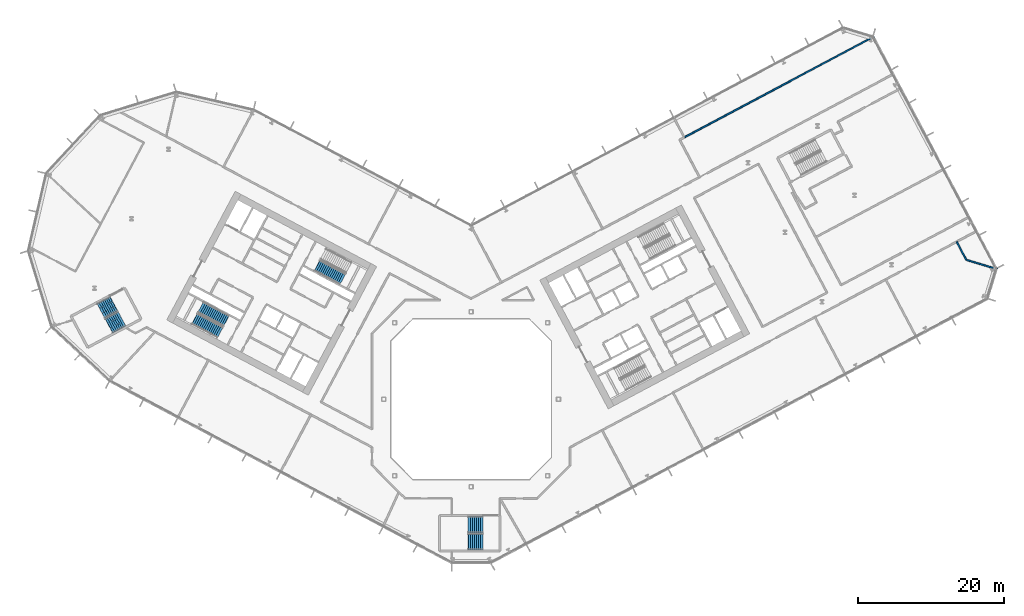
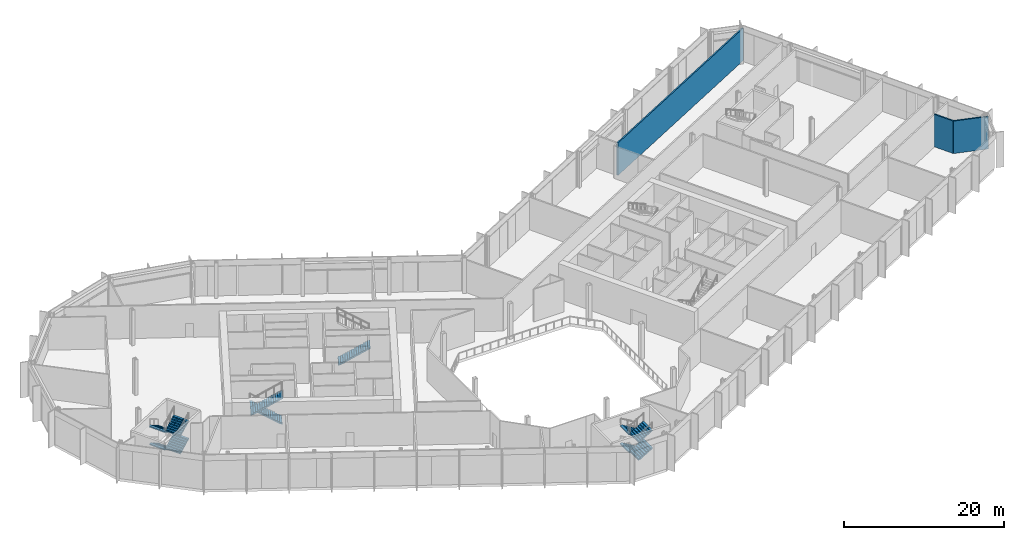
# One storey, part 18 of 32: 11 stair flights, 3 walls, 4 elements without a shape of their own.
"""IFC4 building model written with IfcOpenShell, lengths in metres."""

from ifc_helpers import new_model, si_unit, direction, frame, frame_2d, origin, place, context, subcontext, project, spatial, polyline, rectangle, outline, extrude, material, layer, layer_set, type_object, element, aggregate, save


model = new_model("IFC4")

# Units and contexts
model_context = context("Model", 3, precision=1e-05, world=origin(), true_north=direction((0.0, 1.0)))
body_context = subcontext(model_context, "Body", "Model", "MODEL_VIEW")
ifc_project = project(units=[si_unit("LENGTHUNIT", "METRE"), si_unit("AREAUNIT", "SQUARE_METRE"), si_unit("VOLUMEUNIT", "CUBIC_METRE"), si_unit("PLANEANGLEUNIT", "RADIAN"), si_unit("MASSUNIT", "GRAM", prefix="KILO")], contexts=[model_context])

# Site, building, storey
site_placement = place(None, origin())
site = spatial("IfcSite", under=ifc_project, at=site_placement, CompositionType="ELEMENT")
building_placement = place(site_placement, origin())
building = spatial("IfcBuilding", under=site, at=building_placement, Name="Cormorant Relay Tower", CompositionType="ELEMENT")
storey_placement = place(building_placement, frame((0.0, 0.0, 28.39990234375)))
storey = spatial("IfcBuildingStorey", under=building, at=storey_placement, Name="L05", CompositionType="ELEMENT", Elevation=28.39990234375)

# Walls
ifc_material_1 = material(Name="Fire-rated gypsum board partition")
ifc_layer = layer(ifc_material_1, 0.199951171875)
ifc_layer_set = layer_set([ifc_layer], Name="Fire-rated gypsum partition 200")
wall_type = type_object("IfcWallType", Name="Fire-rated gypsum partition 200", PredefinedType="PARTITIONING", material=ifc_layer_set)
wall_1_placement = place(storey_placement, frame((29.260009765625, 35.945068359375, 0.0), z_axis=(0.0, 0.0, 1.0), x_axis=(0.882955510648, 0.469456671288, 0.0)))
element("IfcWall", 1, at=wall_1_placement, inside=storey, type_object=wall_type, Name="wall/L05/part/37", PredefinedType="PARTITIONING", context=body_context, shape_type="SweptSolid", body=[
    extrude(rectangle(XDim=29.506591796875, YDim=0.199951171875, at=frame_2d((14.75341796875, 0.0))), origin(), (0.0, 0.0, 1.0), 4.9501953125),
])
wall_2_placement = place(storey_placement, frame((66.64892578125, 21.623046875, 0.0), z_axis=(0.0, 0.0, 1.0), x_axis=(0.469796507672, -0.882774739885, 0.0)))
element("IfcWall", 2, at=wall_2_placement, inside=storey, type_object=wall_type, Name="wall/L05/part/54", PredefinedType="PARTITIONING", context=body_context, shape_type="SweptSolid", body=[
    extrude(rectangle(XDim=2.801513671875, YDim=0.199951171875, at=frame_2d((1.40087890625, 0.0))), origin(), (0.0, 0.0, 1.0), 4.9501953125),
])
wall_3_placement = place(storey_placement, frame((67.965087890625, 19.14990234375, 0.0), z_axis=(0.0, 0.0, 1.0), x_axis=(0.956221844793, -0.292642757539, 0.0)))
element("IfcWall", 3, at=wall_3_placement, inside=storey, type_object=wall_type, Name="wall/L05/part/55", PredefinedType="PARTITIONING", context=body_context, shape_type="SweptSolid", body=[
    extrude(rectangle(XDim=4.459228515625, YDim=0.199951171875, at=frame_2d((2.2294921875, 0.0))), origin(), (0.0, 0.0, 1.0), 4.9501953125),
])

# Stair, stair flight
ifc_material_2 = material(Name="Concrete 40 MPa", Category="concrete")
stair_type_1 = type_object("IfcStairType", Name="Exit stair 1500", PredefinedType="HALF_TURN_STAIR", material=ifc_material_2)
stair_1_placement = place(storey_placement, origin())
stair_1 = element("IfcStair", 4, at=stair_1_placement, inside=storey, type_object=stair_type_1, Name="L05 Stair", PredefinedType="HALF_TURN_STAIR")
ifc_material_3 = material(Name="Concrete 40 MPa", Category="concrete")
stair_flight_type_1 = type_object("IfcStairFlightType", Name="Exit stair flight 1650", PredefinedType="STRAIGHT", material=ifc_material_3)
stair_flight_1_placement = place(storey_placement, frame((-21.114501953125, 18.33349609375, 0.0), z_axis=(0.0, 0.0, 1.0), x_axis=(0.882947592859, -0.469471562786, 0.0)))
stair_flight_1 = element("IfcStairFlight", 5, at=stair_flight_1_placement, type_object=stair_flight_type_1, Name="A1 flight 1", NumberOfRisers=15, NumberOfTreads=14, PredefinedType="STRAIGHT", RiserHeight=0.18, TreadLength=0.28, context=body_context, shape_type="SweptSolid", body=[
    extrude(outline(polyline([(-0.050048828125, -0.080078125), (-0.050048828125, 0.0), (0.0, 0.0), (0.0, 0.179931640625), (0.280029296875, 0.179931640625), (0.280029296875, 0.360107421875), (0.56005859375, 0.360107421875), (0.56005859375, 0.5400390625), (0.840087890625, 0.5400390625), (0.840087890625, 0.719970703125), (1.1201171875, 0.719970703125), (1.1201171875, 0.89990234375), (1.39990234375, 0.89990234375), (1.39990234375, 1.080078125), (1.679931640625, 1.080078125), (1.679931640625, 1.260009765625), (1.9599609375, 1.260009765625), (1.9599609375, 1.43994140625), (2.239990234375, 1.43994140625), (2.239990234375, 1.6201171875), (2.52001953125, 1.6201171875), (2.52001953125, 1.800048828125), (2.800048828125, 1.800048828125), (2.800048828125, 1.97998046875), (3.080078125, 1.97998046875), (3.080078125, 2.159912109375), (3.360107421875, 2.159912109375), (3.360107421875, 2.340087890625), (3.639892578125, 2.340087890625), (3.639892578125, 2.52001953125), (3.919921875, 2.52001953125), (3.969970703125, 2.52001953125), (3.969970703125, 2.341796875), (3.919921875, 2.341796875), (0.277099609375, 0.0), (-0.050048828125, -0.080078125)])), frame((0.0, 0.824951171875, 0.0), z_axis=(0.0, -1.0, 0.0), x_axis=(1.0, 0.0, 0.0)), (0.0, 0.0, 1.0), 1.64990234375),
])
aggregate(stair_1, [stair_flight_1])

# Stair, stair flights
stair_2_placement = place(storey_placement, origin())
stair_2 = element("IfcStair", 6, at=stair_2_placement, inside=storey, type_object=stair_type_1, Name="L05 Stair", PredefinedType="HALF_TURN_STAIR")
stair_flight_2_placement = place(storey_placement, frame((-33.62841796875, 10.773681640625, 0.0), z_axis=(0.0, 0.0, 1.0), x_axis=(-0.882947592859, 0.469471562786, 0.0)))
stair_flight_2 = element("IfcStairFlight", 7, at=stair_flight_2_placement, type_object=stair_flight_type_1, Name="A2 flight 1", NumberOfRisers=15, NumberOfTreads=14, PredefinedType="STRAIGHT", RiserHeight=0.18, TreadLength=0.28, context=body_context, shape_type="SweptSolid", body=[
    extrude(outline(polyline([(-0.050048828125, -0.080078125), (-0.050048828125, 0.0), (0.0, 0.0), (0.0, 0.179931640625), (0.280029296875, 0.179931640625), (0.280029296875, 0.360107421875), (0.56005859375, 0.360107421875), (0.56005859375, 0.5400390625), (0.840087890625, 0.5400390625), (0.840087890625, 0.719970703125), (1.1201171875, 0.719970703125), (1.1201171875, 0.89990234375), (1.39990234375, 0.89990234375), (1.39990234375, 1.080078125), (1.679931640625, 1.080078125), (1.679931640625, 1.260009765625), (1.9599609375, 1.260009765625), (1.9599609375, 1.43994140625), (2.239990234375, 1.43994140625), (2.239990234375, 1.6201171875), (2.52001953125, 1.6201171875), (2.52001953125, 1.800048828125), (2.800048828125, 1.800048828125), (2.800048828125, 1.97998046875), (3.080078125, 1.97998046875), (3.080078125, 2.159912109375), (3.360107421875, 2.159912109375), (3.360107421875, 2.340087890625), (3.639892578125, 2.340087890625), (3.639892578125, 2.52001953125), (3.919921875, 2.52001953125), (3.969970703125, 2.52001953125), (3.969970703125, 2.341796875), (3.919921875, 2.341796875), (0.277099609375, 0.0), (-0.050048828125, -0.080078125)])), frame((0.0, 0.824951171875, 0.0), z_axis=(0.0, -1.0, 0.0), x_axis=(1.0, 0.0, 0.0)), (0.0, 0.0, 1.0), 1.64990234375),
])
stair_flight_3_placement = place(storey_placement, frame((-37.9345703125, 11.024658203125, 2.7001953125), z_axis=(0.0, 0.0, 1.0), x_axis=(0.882947592859, -0.469471562786, 0.0)))
stair_flight_3 = element("IfcStairFlight", 8, at=stair_flight_3_placement, type_object=stair_flight_type_1, Name="A2 flight 2", NumberOfRisers=15, NumberOfTreads=14, PredefinedType="STRAIGHT", RiserHeight=0.18, TreadLength=0.28, context=body_context, shape_type="SweptSolid", body=[
    extrude(outline(polyline([(-0.050048828125, -0.080078125), (-0.050048828125, 0.0), (0.0, 0.0), (0.0, 0.179931640625), (0.280029296875, 0.179931640625), (0.280029296875, 0.360107421875), (0.56005859375, 0.360107421875), (0.56005859375, 0.5400390625), (0.840087890625, 0.5400390625), (0.840087890625, 0.719970703125), (1.1201171875, 0.719970703125), (1.1201171875, 0.89990234375), (1.39990234375, 0.89990234375), (1.39990234375, 1.080078125), (1.679931640625, 1.080078125), (1.679931640625, 1.260009765625), (1.9599609375, 1.260009765625), (1.9599609375, 1.43994140625), (2.239990234375, 1.43994140625), (2.239990234375, 1.6201171875), (2.52001953125, 1.6201171875), (2.52001953125, 1.800048828125), (2.800048828125, 1.800048828125), (2.800048828125, 1.97998046875), (3.080078125, 1.97998046875), (3.080078125, 2.159912109375), (3.360107421875, 2.159912109375), (3.360107421875, 2.340087890625), (3.639892578125, 2.340087890625), (3.639892578125, 2.52001953125), (3.919921875, 2.52001953125), (3.969970703125, 2.52001953125), (3.969970703125, 2.341796875), (3.919921875, 2.341796875), (0.277099609375, 0.0), (-0.050048828125, -0.080078125)])), frame((0.0, 0.824951171875, 0.0), z_axis=(0.0, -1.0, 0.0), x_axis=(1.0, 0.0, 0.0)), (0.0, 0.0, 1.0), 1.64990234375),
])
aggregate(stair_2, [stair_flight_2, stair_flight_3])

ifc_material_4 = material(Name="Concrete 40 MPa", Category="concrete")
stair_type_2 = type_object("IfcStairType", Name="Remote exit stair 2200", PredefinedType="HALF_TURN_STAIR", material=ifc_material_4)
stair_3_placement = place(storey_placement, origin())
stair_3 = element("IfcStair", 9, at=stair_3_placement, inside=storey, type_object=stair_type_2, Name="L05 Stair", PredefinedType="HALF_TURN_STAIR")
ifc_material_5 = material(Name="Concrete 40 MPa", Category="concrete")
stair_flight_type_2 = type_object("IfcStairFlightType", Name="Remote exit stair flight 2200", PredefinedType="STRAIGHT", material=ifc_material_5)
stair_flight_4_placement = place(storey_placement, frame((1.60009765625, -17.22509765625, 0.0), z_axis=(0.0, 0.0, 1.0), x_axis=(-1.0, 0.0, 0.0)))
stair_flight_4 = element("IfcStairFlight", 10, at=stair_flight_4_placement, type_object=stair_flight_type_2, Name="RK1 flight 1", NumberOfRisers=8, NumberOfTreads=7, PredefinedType="STRAIGHT", RiserHeight=0.16875, TreadLength=0.28, context=body_context, shape_type="SweptSolid", body=[
    extrude(outline(polyline([(-0.050048828125, -0.080078125), (-0.050048828125, 0.0), (0.0, 0.0), (0.0, 0.168701171875), (0.280029296875, 0.168701171875), (0.280029296875, 0.33740234375), (0.56005859375, 0.33740234375), (0.56005859375, 0.50634765625), (0.840087890625, 0.50634765625), (0.840087890625, 0.675048828125), (1.1201171875, 0.675048828125), (1.1201171875, 0.84375), (1.39990234375, 0.84375), (1.39990234375, 1.012451171875), (1.679931640625, 1.012451171875), (1.679931640625, 1.18115234375), (1.9599609375, 1.18115234375), (2.010009765625, 1.18115234375), (2.010009765625, 1.00634765625), (1.9599609375, 1.00634765625), (0.29052734375, 0.0), (-0.050048828125, -0.080078125)])), frame((0.0, 1.10009765625, 0.0), z_axis=(0.0, -1.0, 0.0), x_axis=(1.0, 0.0, 0.0)), (0.0, 0.0, 1.0), 0.719970703125),
    extrude(outline(polyline([(-0.050048828125, -0.080078125), (-0.050048828125, 0.0), (0.0, 0.0), (0.0, 0.168701171875), (0.280029296875, 0.168701171875), (0.280029296875, 0.33740234375), (0.56005859375, 0.33740234375), (0.56005859375, 0.50634765625), (0.840087890625, 0.50634765625), (0.840087890625, 0.675048828125), (1.1201171875, 0.675048828125), (1.1201171875, 0.84375), (1.39990234375, 0.84375), (1.39990234375, 1.012451171875), (1.679931640625, 1.012451171875), (1.679931640625, 1.18115234375), (1.9599609375, 1.18115234375), (2.010009765625, 1.18115234375), (2.010009765625, 1.00634765625), (1.9599609375, 1.00634765625), (0.29052734375, 0.0), (-0.050048828125, -0.080078125)])), frame((0.0, 0.360107421875, 0.0), z_axis=(0.0, -1.0, 0.0), x_axis=(1.0, 0.0, 0.0)), (0.0, 0.0, 1.0), 0.719970703125),
    extrude(outline(polyline([(-0.050048828125, -0.080078125), (-0.050048828125, 0.0), (0.0, 0.0), (0.0, 0.168701171875), (0.280029296875, 0.168701171875), (0.280029296875, 0.33740234375), (0.56005859375, 0.33740234375), (0.56005859375, 0.50634765625), (0.840087890625, 0.50634765625), (0.840087890625, 0.675048828125), (1.1201171875, 0.675048828125), (1.1201171875, 0.84375), (1.39990234375, 0.84375), (1.39990234375, 1.012451171875), (1.679931640625, 1.012451171875), (1.679931640625, 1.18115234375), (1.9599609375, 1.18115234375), (2.010009765625, 1.18115234375), (2.010009765625, 1.00634765625), (1.9599609375, 1.00634765625), (0.29052734375, 0.0), (-0.050048828125, -0.080078125)])), frame((0.0, -0.3798828125, 0.0), z_axis=(0.0, -1.0, 0.0), x_axis=(1.0, 0.0, 0.0)), (0.0, 0.0, 1.0), 0.719970703125),
])
stair_flight_5_placement = place(storey_placement, frame((-0.360107421875, -19.574951171875, 1.35009765625), z_axis=(0.0, 0.0, 1.0), x_axis=(1.0, 0.0, 0.0)))
stair_flight_5 = element("IfcStairFlight", 11, at=stair_flight_5_placement, type_object=stair_flight_type_2, Name="RK1 flight 2", NumberOfRisers=8, NumberOfTreads=7, PredefinedType="STRAIGHT", RiserHeight=0.16875, TreadLength=0.28, context=body_context, shape_type="SweptSolid", body=[
    extrude(outline(polyline([(-0.050048828125, -0.080078125), (-0.050048828125, 0.0), (0.0, 0.0), (0.0, 0.168701171875), (0.280029296875, 0.168701171875), (0.280029296875, 0.33740234375), (0.56005859375, 0.33740234375), (0.56005859375, 0.50634765625), (0.840087890625, 0.50634765625), (0.840087890625, 0.675048828125), (1.1201171875, 0.675048828125), (1.1201171875, 0.84375), (1.39990234375, 0.84375), (1.39990234375, 1.012451171875), (1.679931640625, 1.012451171875), (1.679931640625, 1.18115234375), (1.9599609375, 1.18115234375), (2.010009765625, 1.18115234375), (2.010009765625, 1.00634765625), (1.9599609375, 1.00634765625), (0.29052734375, 0.0), (-0.050048828125, -0.080078125)])), frame((0.0, 1.10009765625, 0.0), z_axis=(0.0, -1.0, 0.0), x_axis=(1.0, 0.0, 0.0)), (0.0, 0.0, 1.0), 0.719970703125),
    extrude(outline(polyline([(-0.050048828125, -0.080078125), (-0.050048828125, 0.0), (0.0, 0.0), (0.0, 0.168701171875), (0.280029296875, 0.168701171875), (0.280029296875, 0.33740234375), (0.56005859375, 0.33740234375), (0.56005859375, 0.50634765625), (0.840087890625, 0.50634765625), (0.840087890625, 0.675048828125), (1.1201171875, 0.675048828125), (1.1201171875, 0.84375), (1.39990234375, 0.84375), (1.39990234375, 1.012451171875), (1.679931640625, 1.012451171875), (1.679931640625, 1.18115234375), (1.9599609375, 1.18115234375), (2.010009765625, 1.18115234375), (2.010009765625, 1.00634765625), (1.9599609375, 1.00634765625), (0.29052734375, 0.0), (-0.050048828125, -0.080078125)])), frame((0.0, 0.360107421875, 0.0), z_axis=(0.0, -1.0, 0.0), x_axis=(1.0, 0.0, 0.0)), (0.0, 0.0, 1.0), 0.719970703125),
    extrude(outline(polyline([(-0.050048828125, -0.080078125), (-0.050048828125, 0.0), (0.0, 0.0), (0.0, 0.168701171875), (0.280029296875, 0.168701171875), (0.280029296875, 0.33740234375), (0.56005859375, 0.33740234375), (0.56005859375, 0.50634765625), (0.840087890625, 0.50634765625), (0.840087890625, 0.675048828125), (1.1201171875, 0.675048828125), (1.1201171875, 0.84375), (1.39990234375, 0.84375), (1.39990234375, 1.012451171875), (1.679931640625, 1.012451171875), (1.679931640625, 1.18115234375), (1.9599609375, 1.18115234375), (2.010009765625, 1.18115234375), (2.010009765625, 1.00634765625), (1.9599609375, 1.00634765625), (0.29052734375, 0.0), (-0.050048828125, -0.080078125)])), frame((0.0, -0.3798828125, 0.0), z_axis=(0.0, -1.0, 0.0), x_axis=(1.0, 0.0, 0.0)), (0.0, 0.0, 1.0), 0.719970703125),
])
stair_flight_6_placement = place(storey_placement, frame((1.60009765625, -17.22509765625, 2.7001953125), z_axis=(0.0, 0.0, 1.0), x_axis=(-1.0, 0.0, 0.0)))
stair_flight_6 = element("IfcStairFlight", 12, at=stair_flight_6_placement, type_object=stair_flight_type_2, Name="RK1 flight 3", NumberOfRisers=8, NumberOfTreads=7, PredefinedType="STRAIGHT", RiserHeight=0.16875, TreadLength=0.28, context=body_context, shape_type="SweptSolid", body=[
    extrude(outline(polyline([(-0.050048828125, -0.080078125), (-0.050048828125, 0.0), (0.0, 0.0), (0.0, 0.168701171875), (0.280029296875, 0.168701171875), (0.280029296875, 0.33740234375), (0.56005859375, 0.33740234375), (0.56005859375, 0.50634765625), (0.840087890625, 0.50634765625), (0.840087890625, 0.675048828125), (1.1201171875, 0.675048828125), (1.1201171875, 0.84375), (1.39990234375, 0.84375), (1.39990234375, 1.012451171875), (1.679931640625, 1.012451171875), (1.679931640625, 1.18115234375), (1.9599609375, 1.18115234375), (2.010009765625, 1.18115234375), (2.010009765625, 1.00634765625), (1.9599609375, 1.00634765625), (0.29052734375, 0.0), (-0.050048828125, -0.080078125)])), frame((0.0, 1.10009765625, 0.0), z_axis=(0.0, -1.0, 0.0), x_axis=(1.0, 0.0, 0.0)), (0.0, 0.0, 1.0), 0.719970703125),
    extrude(outline(polyline([(-0.050048828125, -0.080078125), (-0.050048828125, 0.0), (0.0, 0.0), (0.0, 0.168701171875), (0.280029296875, 0.168701171875), (0.280029296875, 0.33740234375), (0.56005859375, 0.33740234375), (0.56005859375, 0.50634765625), (0.840087890625, 0.50634765625), (0.840087890625, 0.675048828125), (1.1201171875, 0.675048828125), (1.1201171875, 0.84375), (1.39990234375, 0.84375), (1.39990234375, 1.012451171875), (1.679931640625, 1.012451171875), (1.679931640625, 1.18115234375), (1.9599609375, 1.18115234375), (2.010009765625, 1.18115234375), (2.010009765625, 1.00634765625), (1.9599609375, 1.00634765625), (0.29052734375, 0.0), (-0.050048828125, -0.080078125)])), frame((0.0, 0.360107421875, 0.0), z_axis=(0.0, -1.0, 0.0), x_axis=(1.0, 0.0, 0.0)), (0.0, 0.0, 1.0), 0.719970703125),
    extrude(outline(polyline([(-0.050048828125, -0.080078125), (-0.050048828125, 0.0), (0.0, 0.0), (0.0, 0.168701171875), (0.280029296875, 0.168701171875), (0.280029296875, 0.33740234375), (0.56005859375, 0.33740234375), (0.56005859375, 0.50634765625), (0.840087890625, 0.50634765625), (0.840087890625, 0.675048828125), (1.1201171875, 0.675048828125), (1.1201171875, 0.84375), (1.39990234375, 0.84375), (1.39990234375, 1.012451171875), (1.679931640625, 1.012451171875), (1.679931640625, 1.18115234375), (1.9599609375, 1.18115234375), (2.010009765625, 1.18115234375), (2.010009765625, 1.00634765625), (1.9599609375, 1.00634765625), (0.29052734375, 0.0), (-0.050048828125, -0.080078125)])), frame((0.0, -0.3798828125, 0.0), z_axis=(0.0, -1.0, 0.0), x_axis=(1.0, 0.0, 0.0)), (0.0, 0.0, 1.0), 0.719970703125),
])
stair_flight_7_placement = place(storey_placement, frame((-0.360107421875, -19.574951171875, 4.050048828125), z_axis=(0.0, 0.0, 1.0), x_axis=(1.0, 0.0, 0.0)))
stair_flight_7 = element("IfcStairFlight", 13, at=stair_flight_7_placement, type_object=stair_flight_type_2, Name="RK1 flight 4", NumberOfRisers=8, NumberOfTreads=7, PredefinedType="STRAIGHT", RiserHeight=0.16875, TreadLength=0.28, context=body_context, shape_type="SweptSolid", body=[
    extrude(outline(polyline([(-0.050048828125, -0.080078125), (-0.050048828125, 0.0), (0.0, 0.0), (0.0, 0.168701171875), (0.280029296875, 0.168701171875), (0.280029296875, 0.33740234375), (0.56005859375, 0.33740234375), (0.56005859375, 0.50634765625), (0.840087890625, 0.50634765625), (0.840087890625, 0.675048828125), (1.1201171875, 0.675048828125), (1.1201171875, 0.84375), (1.39990234375, 0.84375), (1.39990234375, 1.012451171875), (1.679931640625, 1.012451171875), (1.679931640625, 1.18115234375), (1.9599609375, 1.18115234375), (2.010009765625, 1.18115234375), (2.010009765625, 1.00634765625), (1.9599609375, 1.00634765625), (0.29052734375, 0.0), (-0.050048828125, -0.080078125)])), frame((0.0, 1.10009765625, 0.0), z_axis=(0.0, -1.0, 0.0), x_axis=(1.0, 0.0, 0.0)), (0.0, 0.0, 1.0), 0.719970703125),
    extrude(outline(polyline([(-0.050048828125, -0.080078125), (-0.050048828125, 0.0), (0.0, 0.0), (0.0, 0.168701171875), (0.280029296875, 0.168701171875), (0.280029296875, 0.33740234375), (0.56005859375, 0.33740234375), (0.56005859375, 0.50634765625), (0.840087890625, 0.50634765625), (0.840087890625, 0.675048828125), (1.1201171875, 0.675048828125), (1.1201171875, 0.84375), (1.39990234375, 0.84375), (1.39990234375, 1.012451171875), (1.679931640625, 1.012451171875), (1.679931640625, 1.18115234375), (1.9599609375, 1.18115234375), (2.010009765625, 1.18115234375), (2.010009765625, 1.00634765625), (1.9599609375, 1.00634765625), (0.29052734375, 0.0), (-0.050048828125, -0.080078125)])), frame((0.0, 0.360107421875, 0.0), z_axis=(0.0, -1.0, 0.0), x_axis=(1.0, 0.0, 0.0)), (0.0, 0.0, 1.0), 0.719970703125),
    extrude(outline(polyline([(-0.050048828125, -0.080078125), (-0.050048828125, 0.0), (0.0, 0.0), (0.0, 0.168701171875), (0.280029296875, 0.168701171875), (0.280029296875, 0.33740234375), (0.56005859375, 0.33740234375), (0.56005859375, 0.50634765625), (0.840087890625, 0.50634765625), (0.840087890625, 0.675048828125), (1.1201171875, 0.675048828125), (1.1201171875, 0.84375), (1.39990234375, 0.84375), (1.39990234375, 1.012451171875), (1.679931640625, 1.012451171875), (1.679931640625, 1.18115234375), (1.9599609375, 1.18115234375), (2.010009765625, 1.18115234375), (2.010009765625, 1.00634765625), (1.9599609375, 1.00634765625), (0.29052734375, 0.0), (-0.050048828125, -0.080078125)])), frame((0.0, -0.3798828125, 0.0), z_axis=(0.0, -1.0, 0.0), x_axis=(1.0, 0.0, 0.0)), (0.0, 0.0, 1.0), 0.719970703125),
])
aggregate(stair_3, [stair_flight_4, stair_flight_5, stair_flight_6, stair_flight_7])

stair_4_placement = place(storey_placement, origin())
stair_4 = element("IfcStair", 14, at=stair_4_placement, inside=storey, type_object=stair_type_2, Name="L05 Stair", PredefinedType="HALF_TURN_STAIR")
stair_flight_8_placement = place(storey_placement, frame((-49.062255859375, 13.08251953125, 0.0), z_axis=(0.0, 0.0, 1.0), x_axis=(-0.882947502727, -0.4694717323, 0.0)))
stair_flight_8 = element("IfcStairFlight", 15, at=stair_flight_8_placement, type_object=stair_flight_type_2, Name="RP1 flight 1", NumberOfRisers=8, NumberOfTreads=7, PredefinedType="STRAIGHT", RiserHeight=0.16875, TreadLength=0.28, context=body_context, shape_type="SweptSolid", body=[
    extrude(outline(polyline([(-0.050048828125, -0.080078125), (-0.050048828125, 0.0), (0.0, 0.0), (0.0, 0.168701171875), (0.280029296875, 0.168701171875), (0.280029296875, 0.33740234375), (0.56005859375, 0.33740234375), (0.56005859375, 0.50634765625), (0.840087890625, 0.50634765625), (0.840087890625, 0.675048828125), (1.1201171875, 0.675048828125), (1.1201171875, 0.84375), (1.39990234375, 0.84375), (1.39990234375, 1.012451171875), (1.679931640625, 1.012451171875), (1.679931640625, 1.18115234375), (1.9599609375, 1.18115234375), (2.010009765625, 1.18115234375), (2.010009765625, 1.00634765625), (1.9599609375, 1.00634765625), (0.29052734375, 0.0), (-0.050048828125, -0.080078125)])), frame((0.0, 1.10009765625, 0.0), z_axis=(0.0, -1.0, 0.0), x_axis=(1.0, 0.0, 0.0)), (0.0, 0.0, 1.0), 0.719970703125),
    extrude(outline(polyline([(-0.050048828125, -0.080078125), (-0.050048828125, 0.0), (0.0, 0.0), (0.0, 0.168701171875), (0.280029296875, 0.168701171875), (0.280029296875, 0.33740234375), (0.56005859375, 0.33740234375), (0.56005859375, 0.50634765625), (0.840087890625, 0.50634765625), (0.840087890625, 0.675048828125), (1.1201171875, 0.675048828125), (1.1201171875, 0.84375), (1.39990234375, 0.84375), (1.39990234375, 1.012451171875), (1.679931640625, 1.012451171875), (1.679931640625, 1.18115234375), (1.9599609375, 1.18115234375), (2.010009765625, 1.18115234375), (2.010009765625, 1.00634765625), (1.9599609375, 1.00634765625), (0.29052734375, 0.0), (-0.050048828125, -0.080078125)])), frame((0.0, 0.360107421875, 0.0), z_axis=(0.0, -1.0, 0.0), x_axis=(1.0, 0.0, 0.0)), (0.0, 0.0, 1.0), 0.719970703125),
    extrude(outline(polyline([(-0.050048828125, -0.080078125), (-0.050048828125, 0.0), (0.0, 0.0), (0.0, 0.168701171875), (0.280029296875, 0.168701171875), (0.280029296875, 0.33740234375), (0.56005859375, 0.33740234375), (0.56005859375, 0.50634765625), (0.840087890625, 0.50634765625), (0.840087890625, 0.675048828125), (1.1201171875, 0.675048828125), (1.1201171875, 0.84375), (1.39990234375, 0.84375), (1.39990234375, 1.012451171875), (1.679931640625, 1.012451171875), (1.679931640625, 1.18115234375), (1.9599609375, 1.18115234375), (2.010009765625, 1.18115234375), (2.010009765625, 1.00634765625), (1.9599609375, 1.00634765625), (0.29052734375, 0.0), (-0.050048828125, -0.080078125)])), frame((0.0, -0.3798828125, 0.0), z_axis=(0.0, -1.0, 0.0), x_axis=(1.0, 0.0, 0.0)), (0.0, 0.0, 1.0), 0.719970703125),
])
stair_flight_9_placement = place(storey_placement, frame((-49.689697265625, 10.08740234375, 1.35009765625), z_axis=(0.0, 0.0, 1.0), x_axis=(0.882947502727, 0.4694717323, 0.0)))
stair_flight_9 = element("IfcStairFlight", 16, at=stair_flight_9_placement, type_object=stair_flight_type_2, Name="RP1 flight 2", NumberOfRisers=8, NumberOfTreads=7, PredefinedType="STRAIGHT", RiserHeight=0.16875, TreadLength=0.28, context=body_context, shape_type="SweptSolid", body=[
    extrude(outline(polyline([(-0.050048828125, -0.080078125), (-0.050048828125, 0.0), (0.0, 0.0), (0.0, 0.168701171875), (0.280029296875, 0.168701171875), (0.280029296875, 0.33740234375), (0.56005859375, 0.33740234375), (0.56005859375, 0.50634765625), (0.840087890625, 0.50634765625), (0.840087890625, 0.675048828125), (1.1201171875, 0.675048828125), (1.1201171875, 0.84375), (1.39990234375, 0.84375), (1.39990234375, 1.012451171875), (1.679931640625, 1.012451171875), (1.679931640625, 1.18115234375), (1.9599609375, 1.18115234375), (2.010009765625, 1.18115234375), (2.010009765625, 1.00634765625), (1.9599609375, 1.00634765625), (0.29052734375, 0.0), (-0.050048828125, -0.080078125)])), frame((0.0, 1.10009765625, 0.0), z_axis=(0.0, -1.0, 0.0), x_axis=(1.0, 0.0, 0.0)), (0.0, 0.0, 1.0), 0.719970703125),
    extrude(outline(polyline([(-0.050048828125, -0.080078125), (-0.050048828125, 0.0), (0.0, 0.0), (0.0, 0.168701171875), (0.280029296875, 0.168701171875), (0.280029296875, 0.33740234375), (0.56005859375, 0.33740234375), (0.56005859375, 0.50634765625), (0.840087890625, 0.50634765625), (0.840087890625, 0.675048828125), (1.1201171875, 0.675048828125), (1.1201171875, 0.84375), (1.39990234375, 0.84375), (1.39990234375, 1.012451171875), (1.679931640625, 1.012451171875), (1.679931640625, 1.18115234375), (1.9599609375, 1.18115234375), (2.010009765625, 1.18115234375), (2.010009765625, 1.00634765625), (1.9599609375, 1.00634765625), (0.29052734375, 0.0), (-0.050048828125, -0.080078125)])), frame((0.0, 0.360107421875, 0.0), z_axis=(0.0, -1.0, 0.0), x_axis=(1.0, 0.0, 0.0)), (0.0, 0.0, 1.0), 0.719970703125),
    extrude(outline(polyline([(-0.050048828125, -0.080078125), (-0.050048828125, 0.0), (0.0, 0.0), (0.0, 0.168701171875), (0.280029296875, 0.168701171875), (0.280029296875, 0.33740234375), (0.56005859375, 0.33740234375), (0.56005859375, 0.50634765625), (0.840087890625, 0.50634765625), (0.840087890625, 0.675048828125), (1.1201171875, 0.675048828125), (1.1201171875, 0.84375), (1.39990234375, 0.84375), (1.39990234375, 1.012451171875), (1.679931640625, 1.012451171875), (1.679931640625, 1.18115234375), (1.9599609375, 1.18115234375), (2.010009765625, 1.18115234375), (2.010009765625, 1.00634765625), (1.9599609375, 1.00634765625), (0.29052734375, 0.0), (-0.050048828125, -0.080078125)])), frame((0.0, -0.3798828125, 0.0), z_axis=(0.0, -1.0, 0.0), x_axis=(1.0, 0.0, 0.0)), (0.0, 0.0, 1.0), 0.719970703125),
])
stair_flight_10_placement = place(storey_placement, frame((-49.062255859375, 13.08251953125, 2.7001953125), z_axis=(0.0, 0.0, 1.0), x_axis=(-0.882947502727, -0.4694717323, 0.0)))
stair_flight_10 = element("IfcStairFlight", 17, at=stair_flight_10_placement, type_object=stair_flight_type_2, Name="RP1 flight 3", NumberOfRisers=8, NumberOfTreads=7, PredefinedType="STRAIGHT", RiserHeight=0.16875, TreadLength=0.28, context=body_context, shape_type="SweptSolid", body=[
    extrude(outline(polyline([(-0.050048828125, -0.080078125), (-0.050048828125, 0.0), (0.0, 0.0), (0.0, 0.168701171875), (0.280029296875, 0.168701171875), (0.280029296875, 0.33740234375), (0.56005859375, 0.33740234375), (0.56005859375, 0.50634765625), (0.840087890625, 0.50634765625), (0.840087890625, 0.675048828125), (1.1201171875, 0.675048828125), (1.1201171875, 0.84375), (1.39990234375, 0.84375), (1.39990234375, 1.012451171875), (1.679931640625, 1.012451171875), (1.679931640625, 1.18115234375), (1.9599609375, 1.18115234375), (2.010009765625, 1.18115234375), (2.010009765625, 1.00634765625), (1.9599609375, 1.00634765625), (0.29052734375, 0.0), (-0.050048828125, -0.080078125)])), frame((0.0, 1.10009765625, 0.0), z_axis=(0.0, -1.0, 0.0), x_axis=(1.0, 0.0, 0.0)), (0.0, 0.0, 1.0), 0.719970703125),
    extrude(outline(polyline([(-0.050048828125, -0.080078125), (-0.050048828125, 0.0), (0.0, 0.0), (0.0, 0.168701171875), (0.280029296875, 0.168701171875), (0.280029296875, 0.33740234375), (0.56005859375, 0.33740234375), (0.56005859375, 0.50634765625), (0.840087890625, 0.50634765625), (0.840087890625, 0.675048828125), (1.1201171875, 0.675048828125), (1.1201171875, 0.84375), (1.39990234375, 0.84375), (1.39990234375, 1.012451171875), (1.679931640625, 1.012451171875), (1.679931640625, 1.18115234375), (1.9599609375, 1.18115234375), (2.010009765625, 1.18115234375), (2.010009765625, 1.00634765625), (1.9599609375, 1.00634765625), (0.29052734375, 0.0), (-0.050048828125, -0.080078125)])), frame((0.0, 0.360107421875, 0.0), z_axis=(0.0, -1.0, 0.0), x_axis=(1.0, 0.0, 0.0)), (0.0, 0.0, 1.0), 0.719970703125),
    extrude(outline(polyline([(-0.050048828125, -0.080078125), (-0.050048828125, 0.0), (0.0, 0.0), (0.0, 0.168701171875), (0.280029296875, 0.168701171875), (0.280029296875, 0.33740234375), (0.56005859375, 0.33740234375), (0.56005859375, 0.50634765625), (0.840087890625, 0.50634765625), (0.840087890625, 0.675048828125), (1.1201171875, 0.675048828125), (1.1201171875, 0.84375), (1.39990234375, 0.84375), (1.39990234375, 1.012451171875), (1.679931640625, 1.012451171875), (1.679931640625, 1.18115234375), (1.9599609375, 1.18115234375), (2.010009765625, 1.18115234375), (2.010009765625, 1.00634765625), (1.9599609375, 1.00634765625), (0.29052734375, 0.0), (-0.050048828125, -0.080078125)])), frame((0.0, -0.3798828125, 0.0), z_axis=(0.0, -1.0, 0.0), x_axis=(1.0, 0.0, 0.0)), (0.0, 0.0, 1.0), 0.719970703125),
])
stair_flight_11_placement = place(storey_placement, frame((-49.689697265625, 10.08740234375, 4.050048828125), z_axis=(0.0, 0.0, 1.0), x_axis=(0.882947502727, 0.4694717323, 0.0)))
stair_flight_11 = element("IfcStairFlight", 18, at=stair_flight_11_placement, type_object=stair_flight_type_2, Name="RP1 flight 4", NumberOfRisers=8, NumberOfTreads=7, PredefinedType="STRAIGHT", RiserHeight=0.16875, TreadLength=0.28, context=body_context, shape_type="SweptSolid", body=[
    extrude(outline(polyline([(-0.050048828125, -0.080078125), (-0.050048828125, 0.0), (0.0, 0.0), (0.0, 0.168701171875), (0.280029296875, 0.168701171875), (0.280029296875, 0.33740234375), (0.56005859375, 0.33740234375), (0.56005859375, 0.50634765625), (0.840087890625, 0.50634765625), (0.840087890625, 0.675048828125), (1.1201171875, 0.675048828125), (1.1201171875, 0.84375), (1.39990234375, 0.84375), (1.39990234375, 1.012451171875), (1.679931640625, 1.012451171875), (1.679931640625, 1.18115234375), (1.9599609375, 1.18115234375), (2.010009765625, 1.18115234375), (2.010009765625, 1.00634765625), (1.9599609375, 1.00634765625), (0.29052734375, 0.0), (-0.050048828125, -0.080078125)])), frame((0.0, 1.10009765625, 0.0), z_axis=(0.0, -1.0, 0.0), x_axis=(1.0, 0.0, 0.0)), (0.0, 0.0, 1.0), 0.719970703125),
    extrude(outline(polyline([(-0.050048828125, -0.080078125), (-0.050048828125, 0.0), (0.0, 0.0), (0.0, 0.168701171875), (0.280029296875, 0.168701171875), (0.280029296875, 0.33740234375), (0.56005859375, 0.33740234375), (0.56005859375, 0.50634765625), (0.840087890625, 0.50634765625), (0.840087890625, 0.675048828125), (1.1201171875, 0.675048828125), (1.1201171875, 0.84375), (1.39990234375, 0.84375), (1.39990234375, 1.012451171875), (1.679931640625, 1.012451171875), (1.679931640625, 1.18115234375), (1.9599609375, 1.18115234375), (2.010009765625, 1.18115234375), (2.010009765625, 1.00634765625), (1.9599609375, 1.00634765625), (0.29052734375, 0.0), (-0.050048828125, -0.080078125)])), frame((0.0, 0.360107421875, 0.0), z_axis=(0.0, -1.0, 0.0), x_axis=(1.0, 0.0, 0.0)), (0.0, 0.0, 1.0), 0.719970703125),
    extrude(outline(polyline([(-0.050048828125, -0.080078125), (-0.050048828125, 0.0), (0.0, 0.0), (0.0, 0.168701171875), (0.280029296875, 0.168701171875), (0.280029296875, 0.33740234375), (0.56005859375, 0.33740234375), (0.56005859375, 0.50634765625), (0.840087890625, 0.50634765625), (0.840087890625, 0.675048828125), (1.1201171875, 0.675048828125), (1.1201171875, 0.84375), (1.39990234375, 0.84375), (1.39990234375, 1.012451171875), (1.679931640625, 1.012451171875), (1.679931640625, 1.18115234375), (1.9599609375, 1.18115234375), (2.010009765625, 1.18115234375), (2.010009765625, 1.00634765625), (1.9599609375, 1.00634765625), (0.29052734375, 0.0), (-0.050048828125, -0.080078125)])), frame((0.0, -0.3798828125, 0.0), z_axis=(0.0, -1.0, 0.0), x_axis=(1.0, 0.0, 0.0)), (0.0, 0.0, 1.0), 0.719970703125),
])
aggregate(stair_4, [stair_flight_8, stair_flight_9, stair_flight_10, stair_flight_11])

save(model, "model.ifc")
